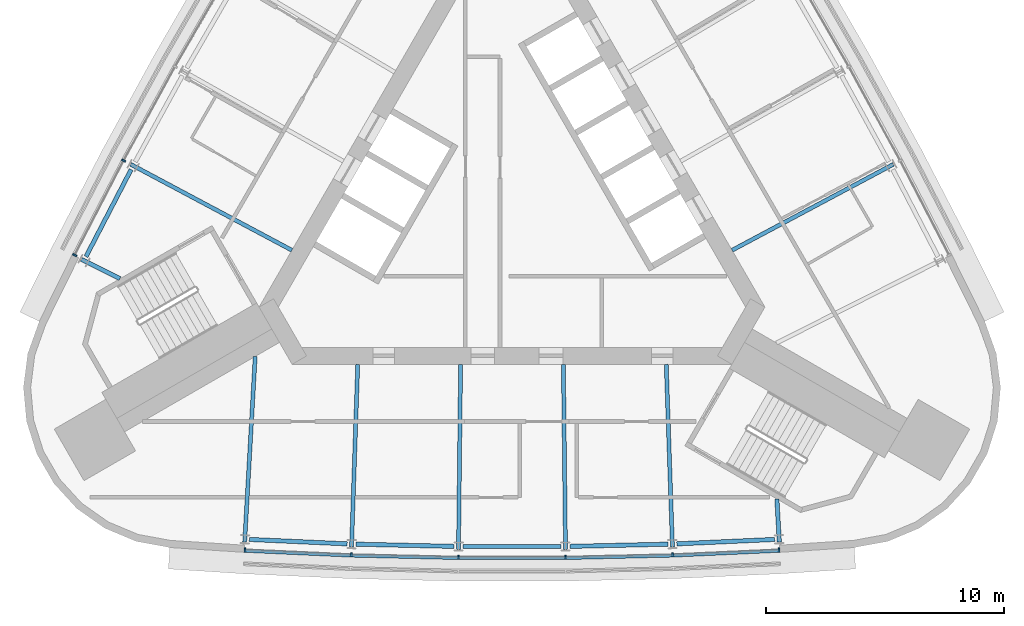
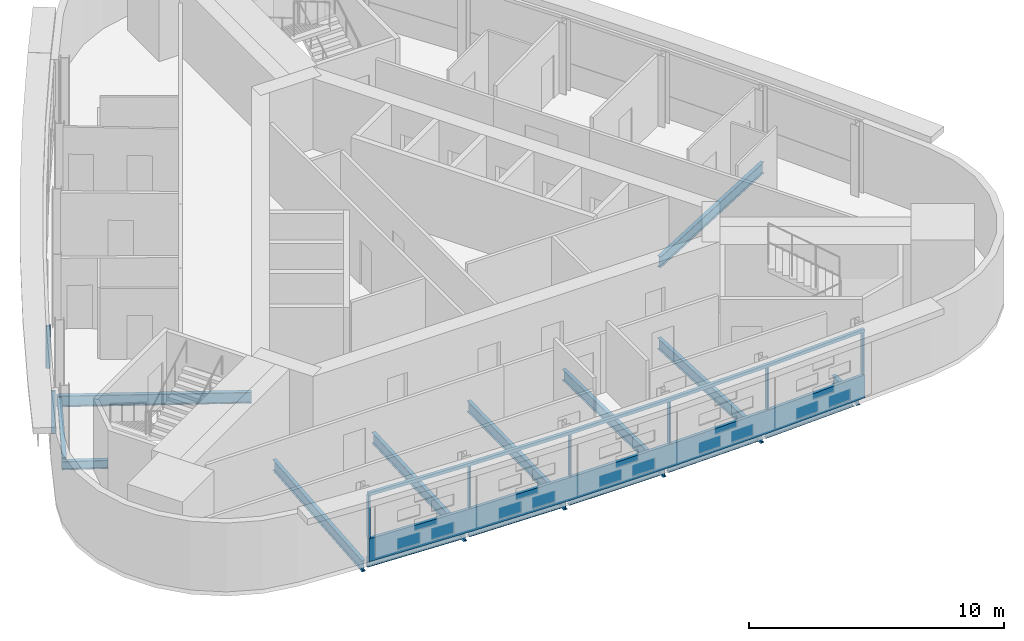
# One storey, part 2 of 9: 15 beams, 10 members, 2 elements without a shape of their own.
"""IFC4 building model written with IfcOpenShell, lengths in metres."""

from ifc_helpers import new_model, si_unit, direction, frame, origin, origin_2d, place, context, subcontext, project, spatial, polyline, rectangle, i_section, outline, extrude, material, material_profile, profile_set, type_object, element, aggregate, save


model = new_model("IFC4")

# Units and contexts
model_context = context("Model", 3, precision=1e-05, world=origin(), true_north=direction((0.0, 1.0)))
body_context = subcontext(model_context, "Body", "Model", "MODEL_VIEW")
ifc_project = project(units=[si_unit("LENGTHUNIT", "METRE"), si_unit("AREAUNIT", "SQUARE_METRE"), si_unit("VOLUMEUNIT", "CUBIC_METRE"), si_unit("PLANEANGLEUNIT", "RADIAN"), si_unit("MASSUNIT", "GRAM", prefix="KILO")], contexts=[model_context])

# Site, building, storey
site_placement = place(None, origin())
site = spatial("IfcSite", under=ifc_project, at=site_placement, CompositionType="ELEMENT")
building_placement = place(site_placement, origin())
building = spatial("IfcBuilding", under=site, at=building_placement, Name="Noor Cloister Tower", CompositionType="ELEMENT")
storey_placement = place(building_placement, frame((0.0, 0.0, 232.800048828125)))
storey = spatial("IfcBuildingStorey", under=building, at=storey_placement, Name="L60", CompositionType="ELEMENT", Elevation=232.800048828125)

# Curtain wall, member
ifc_material_1 = material(Name="Aluminium 6063-T6 anodised", Category="aluminium")
curtain_wall_type = type_object("IfcCurtainWallType", Name="Ribbon curtain wall, upper tower CW5", PredefinedType="NOTDEFINED", material=ifc_material_1)
curtain_wall_1_placement = place(storey_placement, origin())
curtain_wall_1 = element("IfcCurtainWall", 1, at=curtain_wall_1_placement, inside=storey, type_object=curtain_wall_type, Name="CW5 L60 S run 2", PredefinedType="NOTDEFINED")
ifc_material_2 = material(Name="Aluminium 6063-T6 anodised", Category="aluminium")
member_type_1 = type_object("IfcMemberType", Name="Head transom CW5 150", PredefinedType="USERDEFINED", material=ifc_material_2)
member_1_placement = place(storey_placement, frame((0.0, 0.0, 3.14990234375)))
member_1 = element("IfcMember", 2, at=member_1_placement, type_object=member_type_1, Name="CW5 head transom", ObjectType="TRANSOM", PredefinedType="USERDEFINED", context=body_context, shape_type="SweptSolid", body=[
    extrude(outline(polyline([(-11.243896484375, -14.820068359375), (-6.748779296875, -15.02392578125), (-2.25, -15.125732421875), (2.25, -15.125732421875), (6.748779296875, -15.02392578125), (11.243896484375, -14.820068359375), (11.237548828125, -14.68017578125), (6.743896484375, -14.884033203125), (2.248291015625, -14.98583984375), (-2.248291015625, -14.98583984375), (-6.743896484375, -14.884033203125), (-11.237548828125, -14.68017578125), (-11.243896484375, -14.820068359375)])), origin(), (0.0, 0.0, 1.0), 0.150146484375),
])

# Curtain wall, members
curtain_wall_2_placement = place(storey_placement, origin())
curtain_wall_2 = element("IfcCurtainWall", 3, at=curtain_wall_2_placement, inside=storey, type_object=curtain_wall_type, Name="CW5 L60 NW run 1", PredefinedType="NOTDEFINED")
ifc_material_3 = material(Name="Aluminium 6063-T6 anodised", Category="aluminium")
ifc_material_profile_1 = material_profile(ifc_material_3, rectangle(XDim=0.179931640625, YDim=0.070068359375, at=origin_2d()), Name="180 x 70 mullion")
ifc_profile_set_1 = profile_set([ifc_material_profile_1], Name="Aluminium 6063-T6 anodised")
member_type_2 = type_object("IfcMemberType", Name="Mullion CW5 70 x 180", PredefinedType="MULLION", material=ifc_profile_set_1)
member_2_placement = place(storey_placement, frame((-16.297119140625, 1.620361328125, 1.099853515625), z_axis=(0.0, 0.0, 1.0), x_axis=(0.882510233786, -0.470293192874, 0.0)))
member_2 = element("IfcMember", 4, at=member_2_placement, type_object=member_type_2, Name="CW5 mullion 5", PredefinedType="MULLION", context=body_context, shape_type="SweptSolid", body=[
    extrude(rectangle(XDim=0.179931640625, YDim=0.070068359375, at=origin_2d()), origin(), (0.0, 0.0, 1.0), 2.050048828125),
])
member_3_placement = place(storey_placement, frame((-18.3515625, -2.342529296875, 1.099853515625), z_axis=(0.0, 0.0, 1.0), x_axis=(0.887779720384, -0.460268582541, 0.0)))
member_3 = element("IfcMember", 5, at=member_3_placement, type_object=member_type_2, Name="CW5 mullion 6", PredefinedType="MULLION", context=body_context, shape_type="SweptSolid", body=[
    extrude(rectangle(XDim=0.179931640625, YDim=0.070068359375, at=origin_2d()), origin(), (0.0, 0.0, 1.0), 2.050048828125),
])
aggregate(curtain_wall_2, [member_2, member_3])

# Member
member_4_placement = place(storey_placement, frame((-11.20458984375, -14.7216796875, 1.099853515625), z_axis=(0.0, 0.0, 1.0), x_axis=(0.045285575148, 0.998974082088, 0.0)))
member_4 = element("IfcMember", 6, at=member_4_placement, type_object=member_type_2, Name="CW5 mullion 1", PredefinedType="MULLION", context=body_context, shape_type="SweptSolid", body=[
    extrude(rectangle(XDim=0.179931640625, YDim=0.070068359375, at=origin_2d()), origin(), (0.0, 0.0, 1.0), 2.050048828125),
])

member_5_placement = place(storey_placement, frame((-6.745361328125, -14.923828125, 1.099853515625), z_axis=(0.0, 0.0, 1.0), x_axis=(0.033969264638, 0.999422877995, 0.0)))
member_5 = element("IfcMember", 7, at=member_5_placement, type_object=member_type_2, Name="CW5 mullion 2", PredefinedType="MULLION", context=body_context, shape_type="SweptSolid", body=[
    extrude(rectangle(XDim=0.179931640625, YDim=0.070068359375, at=origin_2d()), origin(), (0.0, 0.0, 1.0), 2.050048828125),
])

member_6_placement = place(storey_placement, frame((-2.248779296875, -15.02587890625, 1.099853515625), z_axis=(0.0, 0.0, 1.0), x_axis=(0.011325024885, 0.999935869849, 0.0)))
member_6 = element("IfcMember", 8, at=member_6_placement, type_object=member_type_2, Name="CW5 mullion 3", PredefinedType="MULLION", context=body_context, shape_type="SweptSolid", body=[
    extrude(rectangle(XDim=0.179931640625, YDim=0.070068359375, at=origin_2d()), origin(), (0.0, 0.0, 1.0), 2.050048828125),
])

member_7_placement = place(storey_placement, frame((2.248779296875, -15.02587890625, 1.099853515625), z_axis=(0.0, 0.0, 1.0), x_axis=(-0.011325024885, 0.999935869849, 0.0)))
member_7 = element("IfcMember", 9, at=member_7_placement, type_object=member_type_2, Name="CW5 mullion 4", PredefinedType="MULLION", context=body_context, shape_type="SweptSolid", body=[
    extrude(rectangle(XDim=0.179931640625, YDim=0.070068359375, at=origin_2d()), origin(), (0.0, 0.0, 1.0), 2.050048828125),
])

member_8_placement = place(storey_placement, frame((6.745361328125, -14.923828125, 1.099853515625), z_axis=(0.0, 0.0, 1.0), x_axis=(-0.033969264638, 0.999422877995, 0.0)))
member_8 = element("IfcMember", 10, at=member_8_placement, type_object=member_type_2, Name="CW5 mullion 5", PredefinedType="MULLION", context=body_context, shape_type="SweptSolid", body=[
    extrude(rectangle(XDim=0.179931640625, YDim=0.070068359375, at=origin_2d()), origin(), (0.0, 0.0, 1.0), 2.050048828125),
])

member_9_placement = place(storey_placement, frame((11.20458984375, -14.7216796875, 1.099853515625), z_axis=(0.0, 0.0, 1.0), x_axis=(-0.045285575148, 0.998974082088, 0.0)))
member_9 = element("IfcMember", 11, at=member_9_placement, type_object=member_type_2, Name="CW5 mullion 6", PredefinedType="MULLION", context=body_context, shape_type="SweptSolid", body=[
    extrude(rectangle(XDim=0.179931640625, YDim=0.070068359375, at=origin_2d()), origin(), (0.0, 0.0, 1.0), 2.050048828125),
])

# Beams
ifc_material_4 = material(Name="Steel ASTM A992 Gr 50", Category="steel")
ifc_material_profile_2 = material_profile(ifc_material_4, i_section(OverallWidth=0.177978515625, OverallDepth=0.406005859375, WebThickness=0.0078125, FlangeThickness=0.0126953125, FilletRadius=0.01025390625, at=origin_2d()), Name="W410x60")
ifc_profile_set_2 = profile_set([ifc_material_profile_2], Name="Steel ASTM A992 Gr 50")
beam_type_1 = type_object("IfcBeamType", Name="Radial beam W410x60", PredefinedType="BEAM", material=ifc_profile_set_2)
for number, where, z_axis, x_axis, name in (
    (12, (-18.069091796875, -2.52294921875, -0.403076171875), (0.892938758835, -0.450178156923, 0.0), (0.450178156923, 0.892938758835, 0.0), "Radial beam NW 06 L60"),
    (13, (11.219482421875, -14.38671875, -0.403076171875), (-0.056642671396, 0.998394515098, 0.0), (-0.998394515098, -0.056642671396, 0.0), "Radial beam S 06 L60"),
):
    element("IfcBeam", number, at=place(storey_placement, frame(where, z_axis=z_axis, x_axis=x_axis)), inside=storey, type_object=beam_type_1, Name=name, PredefinedType="BEAM", context=body_context, shape_type="SweptSolid", body=[
        extrude(i_section(OverallWidth=0.177978515625, OverallDepth=0.406005859375, WebThickness=0.0078125, FlangeThickness=0.0126953125, FilletRadius=0.01025390625, at=origin_2d()), origin(), (0.0, 0.0, 1.0), 1.810302734375),
    ])
ifc_material_5 = material(Name="Steel ASTM A992 Gr 50", Category="steel")
ifc_material_profile_3 = material_profile(ifc_material_5, i_section(OverallWidth=0.166015625, OverallDepth=0.528076171875, WebThickness=0.009765625, FlangeThickness=0.013671875, FilletRadius=0.0126953125, at=origin_2d()), Name="W530x74")
ifc_profile_set_3 = profile_set([ifc_material_profile_3], Name="Steel ASTM A992 Gr 50")
beam_type_2 = type_object("IfcBeamType", Name="Radial beam W530x74", PredefinedType="BEAM", material=ifc_profile_set_3)
beam_1_placement = place(storey_placement, frame((-16.00244140625, 1.46337890625, -0.464111328125), z_axis=(0.882508044591, -0.470297300899, 0.0), x_axis=(0.470297300899, 0.882508044591, 0.0)))
element("IfcBeam", 14, at=beam_1_placement, inside=storey, type_object=beam_type_2, Name="Radial beam NW 05 L60", PredefinedType="BEAM", context=body_context, shape_type="SweptSolid", body=[
    extrude(i_section(OverallWidth=0.166015625, OverallDepth=0.528076171875, WebThickness=0.009765625, FlangeThickness=0.013671875, FilletRadius=0.0126953125, at=origin_2d()), origin(), (0.0, 0.0, 1.0), 7.666259765625),
])
beam_2_placement = place(storey_placement, frame((-11.219482421875, -14.38671875, -0.464111328125), z_axis=(0.056612193366, 0.998396243764, 0.0), x_axis=(-0.998396243764, 0.056612193366, 0.0)))
element("IfcBeam", 15, at=beam_2_placement, inside=storey, type_object=beam_type_2, Name="Radial beam S 01 L60", PredefinedType="BEAM", context=body_context, shape_type="SweptSolid", body=[
    extrude(i_section(OverallWidth=0.166015625, OverallDepth=0.528076171875, WebThickness=0.009765625, FlangeThickness=0.013671875, FilletRadius=0.0126953125, at=origin_2d()), origin(), (0.0, 0.0, 1.0), 7.80126953125),
])
beam_3_placement = place(storey_placement, frame((-6.73388671875, -14.590087890625, -0.464111328125), z_axis=(0.033947855953, 0.999423605423, 0.0), x_axis=(-0.999423605423, 0.033947855953, 0.0)))
element("IfcBeam", 16, at=beam_3_placement, inside=storey, type_object=beam_type_2, Name="Radial beam S 02 L60", PredefinedType="BEAM", context=body_context, shape_type="SweptSolid", body=[
    extrude(i_section(OverallWidth=0.166015625, OverallDepth=0.528076171875, WebThickness=0.009765625, FlangeThickness=0.013671875, FilletRadius=0.0126953125, at=origin_2d()), origin(), (0.0, 0.0, 1.0), 7.666259765625),
])
for number, where, z_axis, x_axis, name in (
    (17, (-2.2451171875, -14.69189453125, -0.464111328125), (0.011320029356, 0.999935926415, 0.0), (-0.999935926415, 0.011320029356, 0.0), "Radial beam S 03 L60"),
    (18, (2.2451171875, -14.69189453125, -0.464111328125), (-0.011320029356, 0.999935926415, 0.0), (-0.999935926415, -0.011320029356, 0.0), "Radial beam S 04 L60"),
):
    element("IfcBeam", number, at=place(storey_placement, frame(where, z_axis=z_axis, x_axis=x_axis)), inside=storey, type_object=beam_type_2, Name=name, PredefinedType="BEAM", context=body_context, shape_type="SweptSolid", body=[
        extrude(i_section(OverallWidth=0.166015625, OverallDepth=0.528076171875, WebThickness=0.009765625, FlangeThickness=0.013671875, FilletRadius=0.0126953125, at=origin_2d()), origin(), (0.0, 0.0, 1.0), 7.76416015625),
    ])
for number, where, z_axis, x_axis, name in (
    (19, (6.73388671875, -14.590087890625, -0.464111328125), (-0.033947855953, 0.999423605423, 0.0), (-0.999423605423, -0.033947855953, 0.0), "Radial beam S 05 L60"),
    (20, (16.00244140625, 1.46337890625, -0.464111328125), (-0.882508044591, -0.470297300899, 0.0), (0.470297300899, -0.882508044591, 0.0), "Radial beam NE 02 L60"),
):
    element("IfcBeam", number, at=place(storey_placement, frame(where, z_axis=z_axis, x_axis=x_axis)), inside=storey, type_object=beam_type_2, Name=name, PredefinedType="BEAM", context=body_context, shape_type="SweptSolid", body=[
        extrude(i_section(OverallWidth=0.166015625, OverallDepth=0.528076171875, WebThickness=0.009765625, FlangeThickness=0.013671875, FilletRadius=0.0126953125, at=origin_2d()), origin(), (0.0, 0.0, 1.0), 7.666259765625),
    ])

# Member
ifc_material_6 = material(Name="Aluminium 6063-T6 anodised", Category="aluminium")
member_type_3 = type_object("IfcMemberType", Name="Sill transom CW5 1100", PredefinedType="USERDEFINED", material=ifc_material_6)
member_10_placement = place(storey_placement, origin())
member_10 = element("IfcMember", 21, at=member_10_placement, type_object=member_type_3, Name="CW5 sill transom", ObjectType="TRANSOM", PredefinedType="USERDEFINED", context=body_context, shape_type="SweptSolid", body=[
    extrude(outline(polyline([(-11.243896484375, -14.820068359375), (-6.748779296875, -15.02392578125), (-2.25, -15.125732421875), (2.25, -15.125732421875), (6.748779296875, -15.02392578125), (11.243896484375, -14.820068359375), (11.237548828125, -14.68017578125), (6.743896484375, -14.884033203125), (2.248291015625, -14.98583984375), (-2.248291015625, -14.98583984375), (-6.743896484375, -14.884033203125), (-11.237548828125, -14.68017578125), (-11.243896484375, -14.820068359375)])), origin(), (0.0, 0.0, 1.0), 1.099853515625),
])

aggregate(curtain_wall_1, [member_4, member_5, member_6, member_7, member_8, member_9, member_10, member_1])

# Beams
ifc_material_7 = material(Name="Steel ASTM A992 Gr 50", Category="steel")
ifc_material_profile_4 = material_profile(ifc_material_7, i_section(OverallWidth=0.177978515625, OverallDepth=0.406005859375, WebThickness=0.0078125, FlangeThickness=0.0126953125, FilletRadius=0.01025390625, at=origin_2d()), Name="W410x60")
ifc_profile_set_4 = profile_set([ifc_material_profile_4], Name="Steel ASTM A992 Gr 50")
beam_type_3 = type_object("IfcBeamType", Name="Spandrel beam W410x60", PredefinedType="SPANDREL", material=ifc_profile_set_4)
for number, where, z_axis, x_axis, name in (
    (22, (-15.98583984375, 1.2431640625, -0.403076171875), (-0.46026693686, -0.887780573584, 0.0), (0.887780573584, -0.46026693686, 0.0), "Spandrel beam NW 05 L60"),
    (23, (-11.026611328125, -14.279296875, -0.403076171875), (0.998971962921, -0.045332298626, 0.0), (0.045332298626, 0.998971962921, 0.0), "Spandrel beam S 01 L60"),
):
    element("IfcBeam", number, at=place(storey_placement, frame(where, z_axis=z_axis, x_axis=x_axis)), inside=storey, type_object=beam_type_3, Name=name, PredefinedType="SPANDREL", context=body_context, shape_type="SweptSolid", body=[
        extrude(i_section(OverallWidth=0.177978515625, OverallDepth=0.406005859375, WebThickness=0.0078125, FlangeThickness=0.0126953125, FilletRadius=0.01025390625, at=origin_2d()), origin(), (0.0, 0.0, 1.0), 4.114501953125),
    ])
for number, where, z_axis, x_axis, name in (
    (24, (-6.54345703125, -14.478515625, -0.403076171875), (0.999744402433, -0.022608180041, 0.0), (0.022608180041, 0.999744402433, 0.0), "Spandrel beam S 02 L60"),
    (25, (-2.05712890625, -14.575927734375, -0.403076171875), (1.0, 0.0, 0.0), (0.0, 1.0, 0.0), "Spandrel beam S 03 L60"),
    (26, (2.43017578125, -14.571533203125, -0.403076171875), (0.999744402433, 0.022608180041, 0.0), (-0.022608180041, 0.999744402433, 0.0), "Spandrel beam S 04 L60"),
):
    element("IfcBeam", number, at=place(storey_placement, frame(where, z_axis=z_axis, x_axis=x_axis)), inside=storey, type_object=beam_type_3, Name=name, PredefinedType="SPANDREL", context=body_context, shape_type="SweptSolid", body=[
        extrude(i_section(OverallWidth=0.177978515625, OverallDepth=0.406005859375, WebThickness=0.0078125, FlangeThickness=0.0126953125, FilletRadius=0.01025390625, at=origin_2d()), origin(), (0.0, 0.0, 1.0), 4.1142578125),
    ])
beam_4_placement = place(storey_placement, frame((6.916259765625, -14.4658203125, -0.403076171875), z_axis=(0.998971962921, 0.045332298626, 0.0), x_axis=(-0.045332298626, 0.998971962921, 0.0)))
element("IfcBeam", 27, at=beam_4_placement, inside=storey, type_object=beam_type_3, Name="Spandrel beam S 05 L60", PredefinedType="SPANDREL", context=body_context, shape_type="SweptSolid", body=[
    extrude(i_section(OverallWidth=0.177978515625, OverallDepth=0.406005859375, WebThickness=0.0078125, FlangeThickness=0.0126953125, FilletRadius=0.01025390625, at=origin_2d()), origin(), (0.0, 0.0, 1.0), 4.114501953125),
])

save(model, "model.ifc")
